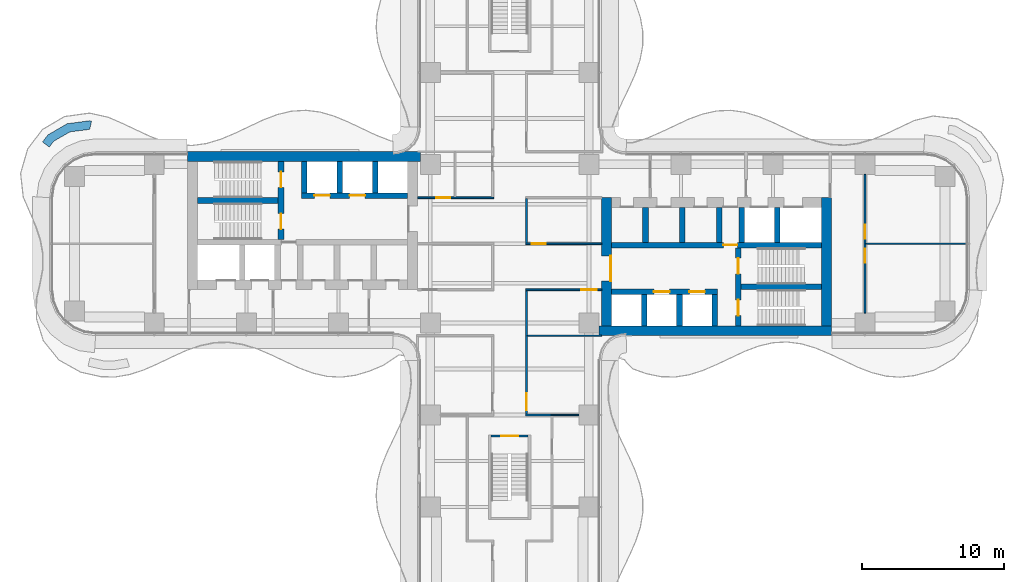
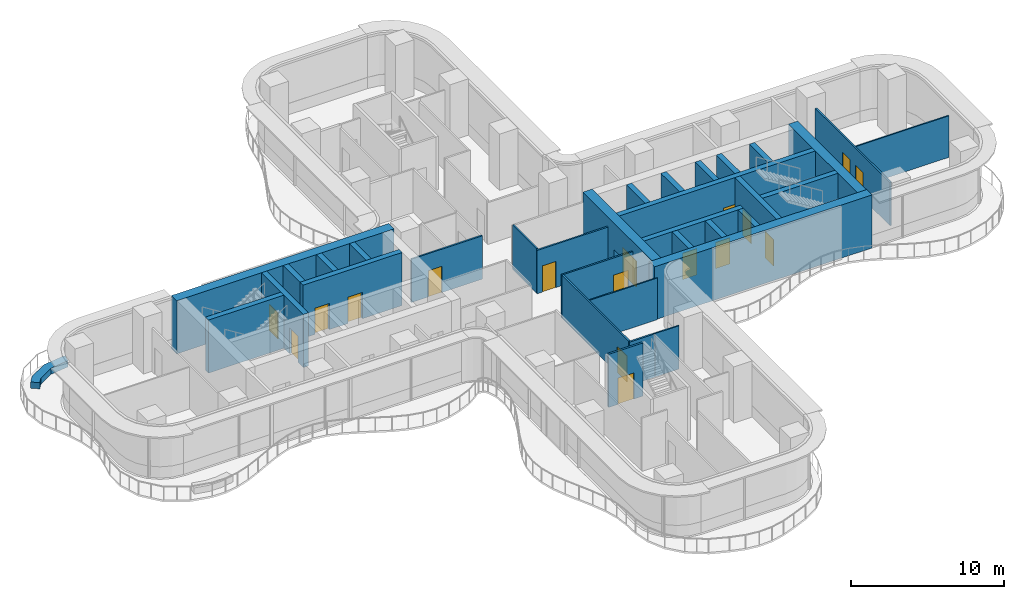
# One storey, part 18 of 22: 34 walls, 17 doors, 17 openings.
"""IFC4 building model written with IfcOpenShell, lengths in metres."""

from ifc_helpers import new_model, si_unit, direction, frame, frame_2d, origin, place, context, subcontext, project, spatial, polyline, rectangle, outline, extrude, source, transform, mapped, material, layer, layer_set, type_object, element, fill, save


model = new_model("IFC4")

# Units and contexts
model_context = context("Model", 3, precision=1e-05, world=origin(), true_north=direction((0.0, 1.0)))
body_context = subcontext(model_context, "Body", "Model", "MODEL_VIEW")
ifc_project = project(units=[si_unit("LENGTHUNIT", "METRE"), si_unit("AREAUNIT", "SQUARE_METRE"), si_unit("VOLUMEUNIT", "CUBIC_METRE"), si_unit("PLANEANGLEUNIT", "RADIAN"), si_unit("MASSUNIT", "GRAM", prefix="KILO")], contexts=[model_context])

# Site, building, storey
site_placement = place(None, origin())
site = spatial("IfcSite", under=ifc_project, at=site_placement, CompositionType="ELEMENT")
building_placement = place(site_placement, origin())
building = spatial("IfcBuilding", under=site, at=building_placement, Name="Trellis Farm Tower", CompositionType="ELEMENT")
storey_placement = place(building_placement, frame((0.0, 0.0, 65.5)))
storey = spatial("IfcBuildingStorey", under=building, at=storey_placement, Name="L13", CompositionType="ELEMENT", Elevation=65.5)

# Wall
ifc_material_1 = material(Name="Sandstone faced masonry planter", Category="masonry")
ifc_layer_1 = layer(ifc_material_1, 0.60009765625)
ifc_layer_set_1 = layer_set([ifc_layer_1], Name="PLANTER BED 600")
wall_type_1 = type_object("IfcWallType", Name="PLANTER BED 600", PredefinedType="USERDEFINED", material=ifc_layer_set_1)
wall_1_placement = place(storey_placement, origin())
element("IfcWall", 1, at=wall_1_placement, inside=storey, type_object=wall_type_1, Name="PLANTER bed", ObjectType="PLANTER", PredefinedType="USERDEFINED", context=body_context, shape_type="SweptSolid", body=[
    extrude(outline(polyline([(-31.255615234375, 8.48046875), (-29.65771484375, 8.6923828125), (-29.53076171875, 8.66259765625), (-29.66748046875, 8.078369140625), (-31.05859375, 7.9013671875), (-32.2109375, 7.236083984375), (-32.527099609375, 6.826171875), (-33.002197265625, 7.192626953125), (-32.613525390625, 7.6962890625), (-31.255615234375, 8.48046875)])), origin(), (0.0, 0.0, 1.0), 0.5),
])

# Wall, opening, door
ifc_material_2 = material(Name="Concrete C80/95", Category="concrete")
ifc_layer_2 = layer(ifc_material_2, 0.699951171875)
ifc_layer_set_2 = layer_set([ifc_layer_2], Name="CORE OUTER WALL 700 CONCRETE C80/95")
wall_type_2 = type_object("IfcWallType", Name="CORE OUTER WALL 700 CONCRETE C80/95", PredefinedType="SHEAR", material=ifc_layer_set_2)
shared_shape_1 = source(origin(), body_context, "Body", "SweptSolid", [
    extrude(rectangle(XDim=9.050048828125, YDim=0.699951171875, at=frame_2d((4.52490234375, 0.0))), origin(), (0.0, 0.0, 1.0), 4.25),
])
wall_2_placement = place(storey_placement, frame((6.85009765625, -5.800048828125, 0.0), z_axis=(0.0, 0.0, 1.0), x_axis=(0.0, 1.0, 0.0)))
wall_2 = element("IfcWall", 2, at=wall_2_placement, inside=storey, type_object=wall_type_2, Name="Core wall", PredefinedType="SHEAR", context=body_context, shape_type="MappedRepresentation", body=[
    mapped(shared_shape_1, transform((0.0, 0.0, 0.0))),
])
shared_shape_2 = source(origin(), body_context, "Body", "SweptSolid", [
    extrude(rectangle(XDim=1.800048828125, YDim=2.10009765625, at=frame_2d((0.89990234375, 1.050048828125))), frame((0.0, 0.360107421875, 0.0), z_axis=(0.0, -1.0, 0.0), x_axis=(1.0, 0.0, 0.0)), (0.0, 0.0, 1.0), 0.72021484375),
])
opening_1_placement = place(wall_2_placement, frame((3.14990234375, 0.0, 0.0)))
opening_1 = element("IfcOpeningElement", 3, at=opening_1_placement, cuts=wall_2, Name="Opening DC1", PredefinedType="OPENING", context=body_context, shape_type="MappedRepresentation", body=[
    mapped(shared_shape_2, transform((0.0, 0.0, 0.0))),
])
ifc_material_3 = material(Name="Steel", Category="steel")
door_type_1 = type_object("IfcDoorType", Name="CORE FIRE DOOR DOUBLE 1800 X 2100", OperationType="DOUBLE_DOOR_SINGLE_SWING", PredefinedType="DOOR", material=ifc_material_3)
shared_shape_3 = source(origin(), body_context, "Body", "SweptSolid", [
    extrude(rectangle(XDim=1.800048828125, YDim=2.10009765625, at=frame_2d((0.89990234375, 1.050048828125))), frame((0.0, -0.27490234375, 0.0), z_axis=(0.0, -1.0, 0.0), x_axis=(1.0, 0.0, 0.0)), (0.0, 0.0, 1.0), 0.050048828125),
])
door_1_placement = place(opening_1_placement, origin())
door_1 = element("IfcDoor", 4, at=door_1_placement, inside=storey, type_object=door_type_1, Name="Core door", OperationType="DOUBLE_DOOR_SINGLE_SWING", OverallHeight=2.10009765625, OverallWidth=1.800048828125, PredefinedType="DOOR", context=body_context, shape_type="MappedRepresentation", body=[
    mapped(shared_shape_3, transform((0.0, 0.0, 0.0))),
])
fill(opening_1, door_1)

# Walls
wall_3_placement = place(storey_placement, frame((22.39990234375, -5.800048828125, 0.0), z_axis=(0.0, 0.0, 1.0), x_axis=(0.0, 1.0, 0.0)))
element("IfcWall", 5, at=wall_3_placement, inside=storey, type_object=wall_type_2, Name="Core wall", PredefinedType="SHEAR", context=body_context, shape_type="MappedRepresentation", body=[
    mapped(shared_shape_1, transform((0.0, 0.0, 0.0))),
])
ifc_layer_3 = layer(ifc_material_2, 0.39990234375)
ifc_layer_set_3 = layer_set([ifc_layer_3], Name="CORE INNER WALL 400 CONCRETE C80/95")
wall_type_3 = type_object("IfcWallType", Name="CORE INNER WALL 400 CONCRETE C80/95", PredefinedType="SHEAR", material=ifc_layer_set_3)
shared_shape_4 = source(origin(), body_context, "Body", "SweptSolid", [
    extrude(rectangle(XDim=2.199951171875, YDim=0.39990234375, at=frame_2d((1.10009765625, 0.0))), origin(), (0.0, 0.0, 1.0), 4.25),
])
for number, where, z_axis, x_axis, name in (
    (6, (9.5, -5.800048828125, 0.0), (0.0, 0.0, 1.0), (0.0, 1.0, 0.0), "Core wall"),
    (7, (12.0, -5.800048828125, 0.0), (0.0, 0.0, 1.0), (0.0, 1.0, 0.0), "Core wall"),
    (8, (14.5, -5.800048828125, 0.0), (0.0, 0.0, 1.0), (0.0, 1.0, 0.0), "Core wall"),
    (9, (-9.5, 5.800048828125, 0.0), (0.0, 0.0, 1.0), (0.0, -1.0, 0.0), "Core wall"),
    (10, (-12.0, 5.800048828125, 0.0), (0.0, 0.0, 1.0), (0.0, -1.0, 0.0), "Core wall"),
    (11, (-14.5, 5.800048828125, 0.0), (0.0, 0.0, 1.0), (0.0, -1.0, 0.0), "Core wall"),
):
    element("IfcWall", number, at=place(storey_placement, frame(where, z_axis=z_axis, x_axis=x_axis)), inside=storey, type_object=wall_type_3, Name=name, PredefinedType="SHEAR", context=body_context, shape_type="MappedRepresentation", body=[
        mapped(shared_shape_4, transform((0.0, 0.0, 0.0))),
    ])
shared_shape_5 = source(origin(), body_context, "Body", "SweptSolid", [
    extrude(rectangle(XDim=2.449951171875, YDim=0.39990234375, at=frame_2d((1.22509765625, 0.0))), origin(), (0.0, 0.0, 1.0), 4.25),
])
for number, where, z_axis, x_axis, name in (
    (12, (9.60009765625, 0.10009765625, 0.0), (0.0, 0.0, 1.0), (0.0, 1.0, 0.0), "Core wall"),
    (13, (12.199951171875, 0.10009765625, 0.0), (0.0, 0.0, 1.0), (0.0, 1.0, 0.0), "Core wall"),
    (14, (14.800048828125, 0.10009765625, 0.0), (0.0, 0.0, 1.0), (0.0, 1.0, 0.0), "Core wall"),
    (15, (16.39990234375, 0.10009765625, 0.0), (0.0, 0.0, 1.0), (0.0, 1.0, 0.0), "Core wall"),
    (16, (18.89990234375, 0.10009765625, 0.0), (0.0, 0.0, 1.0), (0.0, 1.0, 0.0), "Core wall"),
):
    element("IfcWall", number, at=place(storey_placement, frame(where, z_axis=z_axis, x_axis=x_axis)), inside=storey, type_object=wall_type_3, Name=name, PredefinedType="SHEAR", context=body_context, shape_type="MappedRepresentation", body=[
        mapped(shared_shape_5, transform((0.0, 0.0, 0.0))),
    ])
shared_shape_6 = source(origin(), body_context, "Body", "SweptSolid", [
    extrude(rectangle(XDim=16.449951171875, YDim=0.699951171875, at=frame_2d((8.22509765625, 0.0))), origin(), (0.0, 0.0, 1.0), 4.25),
])
for number, where, z_axis, x_axis, name in (
    (17, (6.300048828125, -6.14990234375, 0.0), (0.0, 0.0, 1.0), (1.0, 0.0, 0.0), "Core wall"),
    (18, (-6.300048828125, 6.14990234375, 0.0), (0.0, 0.0, 1.0), (-1.0, 0.0, 0.0), "Core wall"),
):
    element("IfcWall", number, at=place(storey_placement, frame(where, z_axis=z_axis, x_axis=x_axis)), inside=storey, type_object=wall_type_2, Name=name, PredefinedType="SHEAR", context=body_context, shape_type="MappedRepresentation", body=[
        mapped(shared_shape_6, transform((0.0, 0.0, 0.0))),
    ])

# Wall, openings, doors
shared_shape_7 = source(origin(), body_context, "Body", "SweptSolid", [
    extrude(rectangle(XDim=7.5, YDim=0.39990234375, at=frame_2d((3.75, 0.0))), origin(), (0.0, 0.0, 1.0), 4.25),
])
wall_4_placement = place(storey_placement, frame((7.199951171875, -3.39990234375, 0.0), z_axis=(0.0, 0.0, 1.0), x_axis=(1.0, 0.0, 0.0)))
wall_4 = element("IfcWall", 19, at=wall_4_placement, inside=storey, type_object=wall_type_3, Name="Core wall", PredefinedType="SHEAR", context=body_context, shape_type="MappedRepresentation", body=[
    mapped(shared_shape_7, transform((0.0, 0.0, 0.0))),
])
shared_shape_8 = source(origin(), body_context, "Body", "SweptSolid", [
    extrude(rectangle(XDim=1.10009765625, YDim=2.10009765625, at=frame_2d((0.550048828125, 1.050048828125))), frame((0.0, 0.2099609375, 0.0), z_axis=(0.0, -1.0, 0.0), x_axis=(1.0, 0.0, 0.0)), (0.0, 0.0, 1.0), 0.419921875),
])
opening_2_placement = place(wall_4_placement, frame((3.0, 0.0, 0.0)))
opening_2 = element("IfcOpeningElement", 20, at=opening_2_placement, cuts=wall_4, Name="Opening LD2", PredefinedType="OPENING", context=body_context, shape_type="MappedRepresentation", body=[
    mapped(shared_shape_8, transform((0.0, 0.0, 0.0))),
])
opening_3_placement = place(wall_4_placement, frame((5.5, 0.0, 0.0)))
opening_3 = element("IfcOpeningElement", 21, at=opening_3_placement, cuts=wall_4, Name="Opening LD3", PredefinedType="OPENING", context=body_context, shape_type="MappedRepresentation", body=[
    mapped(shared_shape_8, transform((0.0, 0.0, 0.0))),
])
ifc_material_4 = material(Name="Stainless steel", Category="steel")
door_type_2 = type_object("IfcDoorType", Name="LIFT LANDING DOOR 1100 X 2100", OperationType="DOUBLE_DOOR_SLIDING", PredefinedType="DOOR", material=ifc_material_4)
shared_shape_9 = source(origin(), body_context, "Body", "SweptSolid", [
    extrude(rectangle(XDim=1.10009765625, YDim=2.10009765625, at=frame_2d((0.550048828125, 1.050048828125))), frame((0.0, 0.02490234375, 0.0), z_axis=(0.0, -1.0, 0.0), x_axis=(1.0, 0.0, 0.0)), (0.0, 0.0, 1.0), 0.050048828125),
])
door_2_placement = place(opening_2_placement, origin())
door_2 = element("IfcDoor", 22, at=door_2_placement, inside=storey, type_object=door_type_2, Name="Lift landing door", OperationType="DOUBLE_DOOR_SLIDING", OverallHeight=2.10009765625, OverallWidth=1.10009765625, PredefinedType="DOOR", context=body_context, shape_type="MappedRepresentation", body=[
    mapped(shared_shape_9, transform((0.0, 0.0, 0.0))),
])
fill(opening_2, door_2)
door_3_placement = place(opening_3_placement, origin())
door_3 = element("IfcDoor", 23, at=door_3_placement, inside=storey, type_object=door_type_2, Name="Lift landing door", OperationType="DOUBLE_DOOR_SLIDING", OverallHeight=2.10009765625, OverallWidth=1.10009765625, PredefinedType="DOOR", context=body_context, shape_type="MappedRepresentation", body=[
    mapped(shared_shape_9, transform((0.0, 0.0, 0.0))),
])
fill(opening_3, door_3)

wall_5_placement = place(storey_placement, frame((-7.199951171875, 3.39990234375, 0.0), z_axis=(0.0, 0.0, 1.0), x_axis=(-1.0, 0.0, 0.0)))
wall_5 = element("IfcWall", 24, at=wall_5_placement, inside=storey, type_object=wall_type_3, Name="Core wall", PredefinedType="SHEAR", context=body_context, shape_type="MappedRepresentation", body=[
    mapped(shared_shape_7, transform((0.0, 0.0, 0.0))),
])
opening_4_placement = place(wall_5_placement, frame((3.0, 0.0, 0.0)))
opening_4 = element("IfcOpeningElement", 25, at=opening_4_placement, cuts=wall_5, Name="Opening LD10", PredefinedType="OPENING", context=body_context, shape_type="MappedRepresentation", body=[
    mapped(shared_shape_8, transform((0.0, 0.0, 0.0))),
])
opening_5_placement = place(wall_5_placement, frame((5.5, 0.0, 0.0)))
opening_5 = element("IfcOpeningElement", 26, at=opening_5_placement, cuts=wall_5, Name="Opening LD11", PredefinedType="OPENING", context=body_context, shape_type="MappedRepresentation", body=[
    mapped(shared_shape_8, transform((0.0, 0.0, 0.0))),
])
door_4_placement = place(opening_4_placement, origin())
door_4 = element("IfcDoor", 27, at=door_4_placement, inside=storey, type_object=door_type_2, Name="Lift landing door", OperationType="DOUBLE_DOOR_SLIDING", OverallHeight=2.10009765625, OverallWidth=1.10009765625, PredefinedType="DOOR", context=body_context, shape_type="MappedRepresentation", body=[
    mapped(shared_shape_9, transform((0.0, 0.0, 0.0))),
])
fill(opening_4, door_4)
door_5_placement = place(opening_5_placement, origin())
door_5 = element("IfcDoor", 28, at=door_5_placement, inside=storey, type_object=door_type_2, Name="Lift landing door", OperationType="DOUBLE_DOOR_SLIDING", OverallHeight=2.10009765625, OverallWidth=1.10009765625, PredefinedType="DOOR", context=body_context, shape_type="MappedRepresentation", body=[
    mapped(shared_shape_9, transform((0.0, 0.0, 0.0))),
])
fill(opening_5, door_5)

# Wall, opening, door
shared_shape_10 = source(origin(), body_context, "Body", "SweptSolid", [
    extrude(rectangle(XDim=14.85009765625, YDim=0.39990234375, at=frame_2d((7.425048828125, 0.0))), origin(), (0.0, 0.0, 1.0), 4.25),
])
wall_6_placement = place(storey_placement, frame((7.199951171875, -0.10009765625, 0.0), z_axis=(0.0, 0.0, 1.0), x_axis=(1.0, 0.0, 0.0)))
wall_6 = element("IfcWall", 29, at=wall_6_placement, inside=storey, type_object=wall_type_3, Name="Core wall", PredefinedType="SHEAR", context=body_context, shape_type="MappedRepresentation", body=[
    mapped(shared_shape_10, transform((0.0, 0.0, 0.0))),
])
shared_shape_11 = source(origin(), body_context, "Body", "SweptSolid", [
    extrude(rectangle(XDim=1.0, YDim=2.10009765625, at=frame_2d((0.5, 1.050048828125))), frame((0.0, 0.2099609375, 0.0), z_axis=(0.0, -1.0, 0.0), x_axis=(1.0, 0.0, 0.0)), (0.0, 0.0, 1.0), 0.419921875),
])
opening_6_placement = place(wall_6_placement, frame((7.89990234375, 0.0, 0.0)))
opening_6 = element("IfcOpeningElement", 30, at=opening_6_placement, cuts=wall_6, Name="Opening DC5", PredefinedType="OPENING", context=body_context, shape_type="MappedRepresentation", body=[
    mapped(shared_shape_11, transform((0.0, 0.0, 0.0))),
])
door_type_3 = type_object("IfcDoorType", Name="CORE FIRE DOOR 1000 X 2100", OperationType="NOTDEFINED", PredefinedType="DOOR", material=ifc_material_3)
shared_shape_12 = source(origin(), body_context, "Body", "SweptSolid", [
    extrude(rectangle(XDim=1.0, YDim=2.10009765625, at=frame_2d((0.5, 1.050048828125))), frame((0.0, 0.02490234375, 0.0), z_axis=(0.0, -1.0, 0.0), x_axis=(1.0, 0.0, 0.0)), (0.0, 0.0, 1.0), 0.050048828125),
])
door_6_placement = place(opening_6_placement, origin())
door_6 = element("IfcDoor", 31, at=door_6_placement, inside=storey, type_object=door_type_3, Name="Core door", OperationType="SINGLE_SWING_RIGHT", OverallHeight=2.10009765625, OverallWidth=1.0, PredefinedType="DOOR", context=body_context, shape_type="MappedRepresentation", body=[
    mapped(shared_shape_12, transform((0.0, 0.0, 0.0))),
])
fill(opening_6, door_6)

# Wall, openings, doors
shared_shape_13 = source(origin(), body_context, "Body", "SweptSolid", [
    extrude(rectangle(XDim=5.5, YDim=0.39990234375, at=frame_2d((2.75, 0.0))), origin(), (0.0, 0.0, 1.0), 4.25),
])
wall_7_placement = place(storey_placement, frame((16.14990234375, -5.800048828125, 0.0), z_axis=(0.0, 0.0, 1.0), x_axis=(0.0, 1.0, 0.0)))
wall_7 = element("IfcWall", 32, at=wall_7_placement, inside=storey, type_object=wall_type_3, Name="Core wall", PredefinedType="SHEAR", context=body_context, shape_type="MappedRepresentation", body=[
    mapped(shared_shape_13, transform((0.0, 0.0, 0.0))),
])
opening_7_placement = place(wall_7_placement, frame((0.72509765625, 0.0, 0.0)))
opening_7 = element("IfcOpeningElement", 33, at=opening_7_placement, cuts=wall_7, Name="Opening DC2", PredefinedType="OPENING", context=body_context, shape_type="MappedRepresentation", body=[
    mapped(shared_shape_8, transform((0.0, 0.0, 0.0))),
])
opening_8_placement = place(wall_7_placement, frame((3.675048828125, 0.0, 0.0)))
opening_8 = element("IfcOpeningElement", 34, at=opening_8_placement, cuts=wall_7, Name="Opening DC3", PredefinedType="OPENING", context=body_context, shape_type="MappedRepresentation", body=[
    mapped(shared_shape_8, transform((0.0, 0.0, 0.0))),
])
door_type_4 = type_object("IfcDoorType", Name="CORE FIRE DOOR 1100 X 2100", OperationType="NOTDEFINED", PredefinedType="DOOR", material=ifc_material_3)
door_7_placement = place(opening_7_placement, origin())
door_7 = element("IfcDoor", 35, at=door_7_placement, inside=storey, type_object=door_type_4, Name="Core door", OperationType="SINGLE_SWING_RIGHT", OverallHeight=2.10009765625, OverallWidth=1.10009765625, PredefinedType="DOOR", context=body_context, shape_type="MappedRepresentation", body=[
    mapped(shared_shape_9, transform((0.0, 0.0, 0.0))),
])
fill(opening_7, door_7)
door_8_placement = place(opening_8_placement, origin())
door_8 = element("IfcDoor", 36, at=door_8_placement, inside=storey, type_object=door_type_4, Name="Core door", OperationType="SINGLE_SWING_LEFT", OverallHeight=2.10009765625, OverallWidth=1.10009765625, PredefinedType="DOOR", context=body_context, shape_type="MappedRepresentation", body=[
    mapped(shared_shape_9, transform((0.0, 0.0, 0.0))),
])
fill(opening_8, door_8)

wall_8_placement = place(storey_placement, frame((-16.14990234375, 5.800048828125, 0.0), z_axis=(0.0, 0.0, 1.0), x_axis=(0.0, -1.0, 0.0)))
wall_8 = element("IfcWall", 37, at=wall_8_placement, inside=storey, type_object=wall_type_3, Name="Core wall", PredefinedType="SHEAR", context=body_context, shape_type="MappedRepresentation", body=[
    mapped(shared_shape_13, transform((0.0, 0.0, 0.0))),
])
opening_9_placement = place(wall_8_placement, frame((0.72509765625, 0.0, 0.0)))
opening_9 = element("IfcOpeningElement", 38, at=opening_9_placement, cuts=wall_8, Name="Opening DC88", PredefinedType="OPENING", context=body_context, shape_type="MappedRepresentation", body=[
    mapped(shared_shape_8, transform((0.0, 0.0, 0.0))),
])
opening_10_placement = place(wall_8_placement, frame((3.675048828125, 0.0, 0.0)))
opening_10 = element("IfcOpeningElement", 39, at=opening_10_placement, cuts=wall_8, Name="Opening DC89", PredefinedType="OPENING", context=body_context, shape_type="MappedRepresentation", body=[
    mapped(shared_shape_8, transform((0.0, 0.0, 0.0))),
])
door_9_placement = place(opening_9_placement, origin())
door_9 = element("IfcDoor", 40, at=door_9_placement, inside=storey, type_object=door_type_4, Name="Core door", OperationType="SINGLE_SWING_RIGHT", OverallHeight=2.10009765625, OverallWidth=1.10009765625, PredefinedType="DOOR", context=body_context, shape_type="MappedRepresentation", body=[
    mapped(shared_shape_9, transform((0.0, 0.0, 0.0))),
])
fill(opening_9, door_9)
door_10_placement = place(opening_10_placement, origin())
door_10 = element("IfcDoor", 41, at=door_10_placement, inside=storey, type_object=door_type_4, Name="Core door", OperationType="SINGLE_SWING_LEFT", OverallHeight=2.10009765625, OverallWidth=1.10009765625, PredefinedType="DOOR", context=body_context, shape_type="MappedRepresentation", body=[
    mapped(shared_shape_9, transform((0.0, 0.0, 0.0))),
])
fill(opening_10, door_10)

# Walls
shared_shape_14 = source(origin(), body_context, "Body", "SweptSolid", [
    extrude(rectangle(XDim=5.699951171875, YDim=0.39990234375, at=frame_2d((2.85009765625, 0.0))), origin(), (0.0, 0.0, 1.0), 4.25),
])
for number, where, z_axis, x_axis, name in (
    (42, (16.35009765625, -3.050048828125, 0.0), (0.0, 0.0, 1.0), (1.0, 0.0, 0.0), "Core wall"),
    (43, (-16.35009765625, 3.050048828125, 0.0), (0.0, 0.0, 1.0), (-1.0, 0.0, 0.0), "Core wall"),
):
    element("IfcWall", number, at=place(storey_placement, frame(where, z_axis=z_axis, x_axis=x_axis)), inside=storey, type_object=wall_type_3, Name=name, PredefinedType="SHEAR", context=body_context, shape_type="MappedRepresentation", body=[
        mapped(shared_shape_14, transform((0.0, 0.0, 0.0))),
    ])

# Wall, opening, door
ifc_layer_4 = layer(ifc_material_2, 0.14990234375)
ifc_layer_set_4 = layer_set([ifc_layer_4], Name="CORE STAIR ENCLOSURE WALL 150 CONCRETE C80/95")
wall_type_4 = type_object("IfcWallType", Name="CORE STAIR ENCLOSURE WALL 150 CONCRETE C80/95", PredefinedType="SHEAR", material=ifc_layer_set_4)
shared_shape_15 = source(origin(), body_context, "Body", "SweptSolid", [
    extrude(rectangle(XDim=2.60009765625, YDim=0.14990234375, at=frame_2d((1.300048828125, 0.0))), origin(), (0.0, 0.0, 1.0), 4.25),
])
wall_9_placement = place(storey_placement, frame((1.300048828125, -13.574951171875, 0.0), z_axis=(0.0, 0.0, 1.0), x_axis=(-1.0, 0.0, 0.0)))
wall_9 = element("IfcWall", 44, at=wall_9_placement, inside=storey, type_object=wall_type_4, Name="Stair enclosure wall", PredefinedType="SHEAR", context=body_context, shape_type="MappedRepresentation", body=[
    mapped(shared_shape_15, transform((0.0, 0.0, 0.0))),
])
shared_shape_16 = source(origin(), body_context, "Body", "SweptSolid", [
    extrude(rectangle(XDim=1.199951171875, YDim=2.10009765625, at=frame_2d((0.60009765625, 1.050048828125))), frame((0.0, 0.0849609375, 0.0), z_axis=(0.0, -1.0, 0.0), x_axis=(1.0, 0.0, 0.0)), (0.0, 0.0, 1.0), 0.169921875),
])
opening_11_placement = place(wall_9_placement, frame((0.699951171875, 0.0, 0.0)))
opening_11 = element("IfcOpeningElement", 45, at=opening_11_placement, cuts=wall_9, Name="Opening DC174", PredefinedType="OPENING", context=body_context, shape_type="MappedRepresentation", body=[
    mapped(shared_shape_16, transform((0.0, 0.0, 0.0))),
])
door_type_5 = type_object("IfcDoorType", Name="CORE FIRE DOOR 1200 X 2100", OperationType="NOTDEFINED", PredefinedType="DOOR", material=ifc_material_3)
shared_shape_17 = source(origin(), body_context, "Body", "SweptSolid", [
    extrude(rectangle(XDim=1.199951171875, YDim=2.10009765625, at=frame_2d((0.60009765625, 1.050048828125))), frame((0.0, 0.02490234375, 0.0), z_axis=(0.0, -1.0, 0.0), x_axis=(1.0, 0.0, 0.0)), (0.0, 0.0, 1.0), 0.050048828125),
])
door_11_placement = place(opening_11_placement, origin())
door_11 = element("IfcDoor", 46, at=door_11_placement, inside=storey, type_object=door_type_5, Name="Core door", OperationType="SINGLE_SWING_RIGHT", OverallHeight=2.10009765625, OverallWidth=1.199951171875, PredefinedType="DOOR", context=body_context, shape_type="MappedRepresentation", body=[
    mapped(shared_shape_17, transform((0.0, 0.0, 0.0))),
])
fill(opening_11, door_11)

# Wall
ifc_material_5 = material(Name="Plasterboard on steel studs, mineral wool", Category="steel")
ifc_layer_5 = layer(ifc_material_5, 0.125)
ifc_layer_set_5 = layer_set([ifc_layer_5], Name="PARTITION 125 STUD EI 60")
wall_type_5 = type_object("IfcWallType", Name="PARTITION 125 STUD EI 60", PredefinedType="PARTITIONING", material=ifc_layer_set_5)
shared_shape_18 = source(origin(), body_context, "Body", "SweptSolid", [
    extrude(rectangle(XDim=3.125, YDim=0.125, at=frame_2d((1.5625, 0.0))), origin(), (0.0, 0.0, 1.0), 3.54638671875),
])
wall_10_placement = place(storey_placement, frame((1.199951171875, 3.1875, 0.0), z_axis=(0.0, 0.0, 1.0), x_axis=(0.0, -1.0, 0.0)))
element("IfcWall", 47, at=wall_10_placement, inside=storey, type_object=wall_type_5, Name="Partition PW1", PredefinedType="PARTITIONING", context=body_context, shape_type="MappedRepresentation", body=[
    mapped(shared_shape_18, transform((0.0, 0.0, 0.0))),
])

# Wall, openings, doors
shared_shape_19 = source(origin(), body_context, "Body", "SweptSolid", [
    extrude(rectangle(XDim=9.7998046875, YDim=0.125, at=frame_2d((4.89990234375, 0.0))), origin(), (0.0, 0.0, 1.0), 3.4677734375),
])
wall_11_placement = place(storey_placement, frame((25.10009765625, 4.89990234375, 0.0), z_axis=(0.0, 0.0, 1.0), x_axis=(0.0, -1.0, 0.0)))
wall_11 = element("IfcWall", 48, at=wall_11_placement, inside=storey, type_object=wall_type_5, Name="Partition PW1", PredefinedType="PARTITIONING", context=body_context, shape_type="MappedRepresentation", body=[
    mapped(shared_shape_19, transform((0.0, 0.0, 0.0))),
])
shared_shape_20 = source(origin(), body_context, "Body", "SweptSolid", [
    extrude(rectangle(XDim=1.0, YDim=2.10009765625, at=frame_2d((0.5, 1.050048828125))), frame((0.0, 0.072509765625, 0.0), z_axis=(0.0, -1.0, 0.0), x_axis=(1.0, 0.0, 0.0)), (0.0, 0.0, 1.0), 0.14501953125),
])
opening_12_placement = place(wall_11_placement, frame((5.25, 0.0, 0.0)))
opening_12 = element("IfcOpeningElement", 49, at=opening_12_placement, cuts=wall_11, Name="Opening D106", PredefinedType="OPENING", context=body_context, shape_type="MappedRepresentation", body=[
    mapped(shared_shape_20, transform((0.0, 0.0, 0.0))),
])
opening_13_placement = place(wall_11_placement, frame((3.550048828125, 0.0, 0.0)))
opening_13 = element("IfcOpeningElement", 50, at=opening_13_placement, cuts=wall_11, Name="Opening D108", PredefinedType="OPENING", context=body_context, shape_type="MappedRepresentation", body=[
    mapped(shared_shape_20, transform((0.0, 0.0, 0.0))),
])
ifc_material_6 = material(Name="Fire-rated timber door leaf in a hollow metal frame", Category="wood")
door_type_6 = type_object("IfcDoorType", Name="DOOR 1000x2100 FD30S", OperationType="NOTDEFINED", PredefinedType="DOOR", material=ifc_material_6)
door_12_placement = place(opening_12_placement, origin())
door_12 = element("IfcDoor", 51, at=door_12_placement, inside=storey, type_object=door_type_6, Name="Door D106", OperationType="SINGLE_SWING_LEFT", OverallHeight=2.10009765625, OverallWidth=1.0, PredefinedType="DOOR", context=body_context, shape_type="MappedRepresentation", body=[
    mapped(shared_shape_12, transform((0.0, 0.0, 0.0))),
])
fill(opening_12, door_12)
door_13_placement = place(opening_13_placement, origin())
door_13 = element("IfcDoor", 52, at=door_13_placement, inside=storey, type_object=door_type_6, Name="Door D108", OperationType="SINGLE_SWING_RIGHT", OverallHeight=2.10009765625, OverallWidth=1.0, PredefinedType="DOOR", context=body_context, shape_type="MappedRepresentation", body=[
    mapped(shared_shape_12, transform((0.0, 0.0, 0.0))),
])
fill(opening_13, door_13)

# Wall
shared_shape_21 = source(origin(), body_context, "Body", "SweptSolid", [
    extrude(rectangle(XDim=1.925048828125, YDim=0.125, at=frame_2d((0.96240234375, 0.0))), origin(), (0.0, 0.0, 1.0), 3.4677734375),
])
wall_12_placement = place(storey_placement, frame((1.137451171875, -12.10009765625, 0.0), z_axis=(0.0, 0.0, 1.0), x_axis=(1.0, 0.0, 0.0)))
element("IfcWall", 53, at=wall_12_placement, inside=storey, type_object=wall_type_5, Name="Partition PW1", PredefinedType="PARTITIONING", context=body_context, shape_type="MappedRepresentation", body=[
    mapped(shared_shape_21, transform((0.0, 0.0, 0.0))),
])

# Wall, opening, door
shared_shape_22 = source(origin(), body_context, "Body", "SweptSolid", [
    extrude(rectangle(XDim=5.362548828125, YDim=0.125, at=frame_2d((2.68115234375, 0.0))), origin(), (0.0, 0.0, 1.0), 3.4677734375),
])
wall_13_placement = place(storey_placement, frame((6.5, -3.25, 0.0), z_axis=(0.0, 0.0, 1.0), x_axis=(-1.0, 0.0, 0.0)))
wall_13 = element("IfcWall", 54, at=wall_13_placement, inside=storey, type_object=wall_type_5, Name="Partition PW1", PredefinedType="PARTITIONING", context=body_context, shape_type="MappedRepresentation", body=[
    mapped(shared_shape_22, transform((0.0, 0.0, 0.0))),
])
shared_shape_23 = source(origin(), body_context, "Body", "SweptSolid", [
    extrude(rectangle(XDim=1.10009765625, YDim=2.10009765625, at=frame_2d((0.550048828125, 1.050048828125))), frame((0.0, 0.072509765625, 0.0), z_axis=(0.0, -1.0, 0.0), x_axis=(1.0, 0.0, 0.0)), (0.0, 0.0, 1.0), 0.14501953125),
])
opening_14_placement = place(wall_13_placement, frame((0.35009765625, 0.0, 0.0)))
opening_14 = element("IfcOpeningElement", 55, at=opening_14_placement, cuts=wall_13, Name="Opening D501", PredefinedType="OPENING", context=body_context, shape_type="MappedRepresentation", body=[
    mapped(shared_shape_23, transform((0.0, 0.0, 0.0))),
])
door_type_7 = type_object("IfcDoorType", Name="DOOR 1100x2100 FD30S", OperationType="NOTDEFINED", PredefinedType="DOOR", material=ifc_material_6)
door_14_placement = place(opening_14_placement, origin())
door_14 = element("IfcDoor", 56, at=door_14_placement, inside=storey, type_object=door_type_7, Name="Door D501", OperationType="SINGLE_SWING_LEFT", OverallHeight=2.10009765625, OverallWidth=1.10009765625, PredefinedType="DOOR", context=body_context, shape_type="MappedRepresentation", body=[
    mapped(shared_shape_9, transform((0.0, 0.0, 0.0))),
])
fill(opening_14, door_14)

wall_14_placement = place(storey_placement, frame((6.5, 0.0, 0.0), z_axis=(0.0, 0.0, 1.0), x_axis=(-1.0, 0.0, 0.0)))
wall_14 = element("IfcWall", 57, at=wall_14_placement, inside=storey, type_object=wall_type_5, Name="Partition PW1", PredefinedType="PARTITIONING", context=body_context, shape_type="MappedRepresentation", body=[
    mapped(shared_shape_22, transform((0.0, 0.0, 0.0))),
])
opening_15_placement = place(wall_14_placement, frame((3.949951171875, 0.0, 0.0)))
opening_15 = element("IfcOpeningElement", 58, at=opening_15_placement, cuts=wall_14, Name="Opening D107", PredefinedType="OPENING", context=body_context, shape_type="MappedRepresentation", body=[
    mapped(shared_shape_20, transform((0.0, 0.0, 0.0))),
])
door_15_placement = place(opening_15_placement, origin())
door_15 = element("IfcDoor", 59, at=door_15_placement, inside=storey, type_object=door_type_6, Name="Door D107", OperationType="SINGLE_SWING_RIGHT", OverallHeight=2.10009765625, OverallWidth=1.0, PredefinedType="DOOR", context=body_context, shape_type="MappedRepresentation", body=[
    mapped(shared_shape_12, transform((0.0, 0.0, 0.0))),
])
fill(opening_15, door_15)

wall_15_placement = place(storey_placement, frame((-6.5, 3.25, 0.0), z_axis=(0.0, 0.0, 1.0), x_axis=(1.0, 0.0, 0.0)))
wall_15 = element("IfcWall", 60, at=wall_15_placement, inside=storey, type_object=wall_type_5, Name="Partition PW1", PredefinedType="PARTITIONING", context=body_context, shape_type="MappedRepresentation", body=[
    mapped(shared_shape_22, transform((0.0, 0.0, 0.0))),
])
opening_16_placement = place(wall_15_placement, frame((1.300048828125, 0.0, 0.0)))
opening_16 = element("IfcOpeningElement", 61, at=opening_16_placement, cuts=wall_15, Name="Opening D109", PredefinedType="OPENING", context=body_context, shape_type="MappedRepresentation", body=[
    mapped(shared_shape_20, transform((0.0, 0.0, 0.0))),
])
door_16_placement = place(opening_16_placement, origin())
door_16 = element("IfcDoor", 62, at=door_16_placement, inside=storey, type_object=door_type_6, Name="Door D109", OperationType="SINGLE_SWING_RIGHT", OverallHeight=2.10009765625, OverallWidth=1.0, PredefinedType="DOOR", context=body_context, shape_type="MappedRepresentation", body=[
    mapped(shared_shape_12, transform((0.0, 0.0, 0.0))),
])
fill(opening_16, door_16)

shared_shape_24 = source(origin(), body_context, "Body", "SweptSolid", [
    extrude(rectangle(XDim=8.72509765625, YDim=0.125, at=frame_2d((4.362548828125, 0.0))), origin(), (0.0, 0.0, 1.0), 3.4677734375),
])
wall_16_placement = place(storey_placement, frame((1.199951171875, -3.3125, 0.0), z_axis=(0.0, 0.0, 1.0), x_axis=(0.0, -1.0, 0.0)))
wall_16 = element("IfcWall", 63, at=wall_16_placement, inside=storey, type_object=wall_type_5, Name="Partition PW1", PredefinedType="PARTITIONING", context=body_context, shape_type="MappedRepresentation", body=[
    mapped(shared_shape_24, transform((0.0, 0.0, 0.0))),
])
shared_shape_25 = source(origin(), body_context, "Body", "SweptSolid", [
    extrude(rectangle(XDim=1.199951171875, YDim=2.10009765625, at=frame_2d((0.60009765625, 1.050048828125))), frame((0.0, 0.072509765625, 0.0), z_axis=(0.0, -1.0, 0.0), x_axis=(1.0, 0.0, 0.0)), (0.0, 0.0, 1.0), 0.14501953125),
])
opening_17_placement = place(wall_16_placement, frame((7.237548828125, 0.0, 0.0)))
opening_17 = element("IfcOpeningElement", 64, at=opening_17_placement, cuts=wall_16, Name="Opening D602", PredefinedType="OPENING", context=body_context, shape_type="MappedRepresentation", body=[
    mapped(shared_shape_25, transform((0.0, 0.0, 0.0))),
])
door_type_8 = type_object("IfcDoorType", Name="DOOR 1200x2100 FD30S", OperationType="NOTDEFINED", PredefinedType="DOOR", material=ifc_material_6)
door_17_placement = place(opening_17_placement, origin())
door_17 = element("IfcDoor", 65, at=door_17_placement, inside=storey, type_object=door_type_8, Name="Door D602", OperationType="SINGLE_SWING_RIGHT", OverallHeight=2.10009765625, OverallWidth=1.199951171875, PredefinedType="DOOR", context=body_context, shape_type="MappedRepresentation", body=[
    mapped(shared_shape_17, transform((0.0, 0.0, 0.0))),
])
fill(opening_17, door_17)

# Walls
ifc_material_7 = material(Name="Plasterboard on steel studs", Category="steel")
ifc_layer_6 = layer(ifc_material_7, 0.10009765625)
ifc_layer_set_6 = layer_set([ifc_layer_6], Name="PARTITION 100 STUD EI 30")
wall_type_6 = type_object("IfcWallType", Name="PARTITION 100 STUD EI 30", PredefinedType="PARTITIONING", material=ifc_layer_set_6)
shared_shape_26 = source(origin(), body_context, "Body", "SweptSolid", [
    extrude(rectangle(XDim=1.96240234375, YDim=0.10009765625, at=frame_2d((0.981201171875, 0.0))), origin(), (0.0, 0.0, 1.0), 3.4677734375),
])
wall_17_placement = place(storey_placement, frame((2.9375, -12.10009765625, 0.0), z_axis=(0.0, 0.0, 1.0), x_axis=(1.0, 0.0, 0.0)))
element("IfcWall", 66, at=wall_17_placement, inside=storey, type_object=wall_type_6, Name="Partition PW2", PredefinedType="PARTITIONING", context=body_context, shape_type="MappedRepresentation", body=[
    mapped(shared_shape_26, transform((0.0, 0.0, 0.0))),
])
shared_shape_27 = source(origin(), body_context, "Body", "SweptSolid", [
    extrude(rectangle(XDim=7.137451171875, YDim=0.10009765625, at=frame_2d((3.56884765625, 0.0))), origin(), (0.0, 0.0, 1.0), 3.330078125),
])
wall_18_placement = place(storey_placement, frame((25.16259765625, 0.0, 0.0), z_axis=(0.0, 0.0, 1.0), x_axis=(1.0, 0.0, 0.0)))
element("IfcWall", 67, at=wall_18_placement, inside=storey, type_object=wall_type_6, Name="Partition PW2", PredefinedType="PARTITIONING", context=body_context, shape_type="MappedRepresentation", body=[
    mapped(shared_shape_27, transform((0.0, 0.0, 0.0))),
])
shared_shape_28 = source(origin(), body_context, "Body", "SweptSolid", [
    extrude(rectangle(XDim=5.237548828125, YDim=0.10009765625, at=frame_2d((2.61865234375, 0.0))), origin(), (0.0, 0.0, 1.0), 3.330078125),
])
wall_19_placement = place(storey_placement, frame((1.262451171875, -6.5, 0.0), z_axis=(0.0, 0.0, 1.0), x_axis=(1.0, 0.0, 0.0)))
element("IfcWall", 68, at=wall_19_placement, inside=storey, type_object=wall_type_6, Name="Partition PW2", PredefinedType="PARTITIONING", context=body_context, shape_type="MappedRepresentation", body=[
    mapped(shared_shape_28, transform((0.0, 0.0, 0.0))),
])

save(model, "model.ifc")
